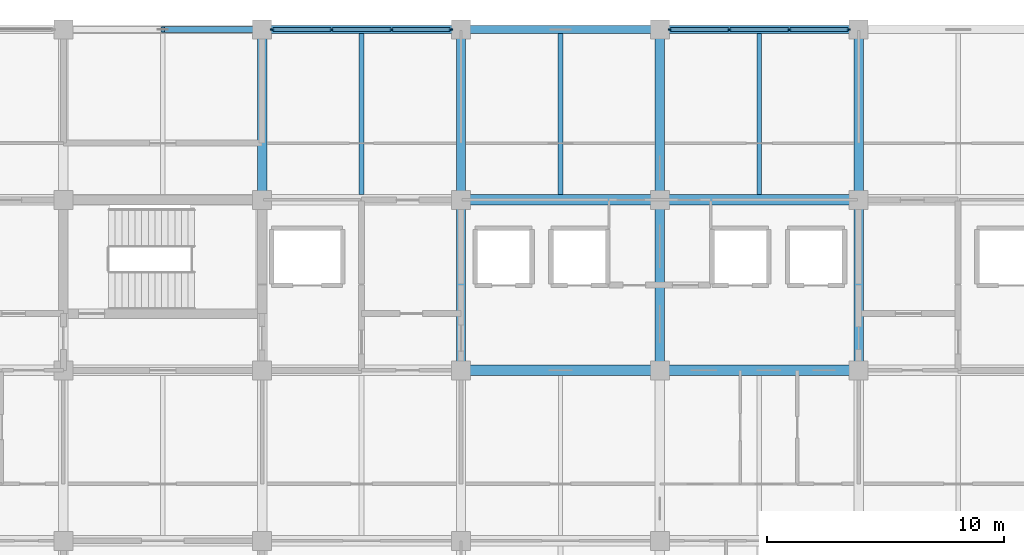
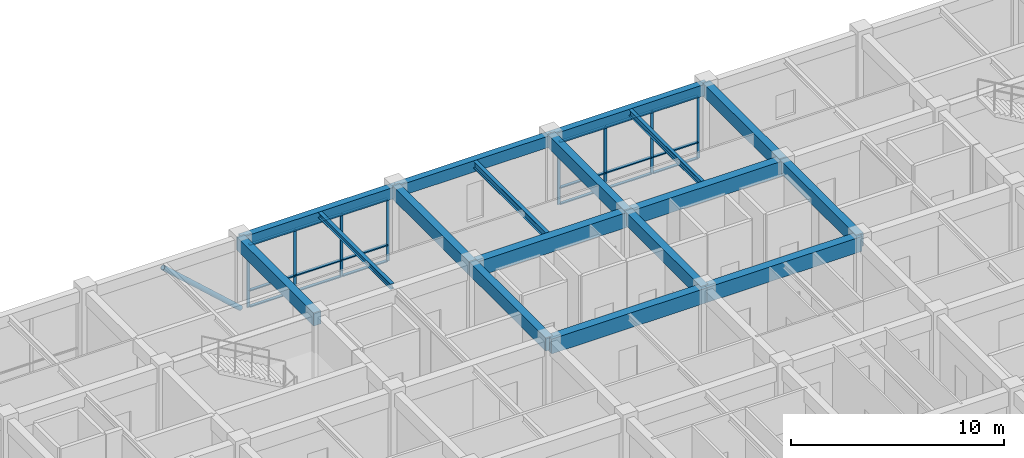
# One storey, part 11 of 40: 27 members, 17 beams, 2 elements without a shape of their own.
"""IFC4 building model written with IfcOpenShell, lengths in metres."""

from ifc_helpers import new_model, si_unit, direction, frame, origin, origin_2d, place, context, subcontext, project, spatial, rectangle, hollow_circle, i_section, extrude, material, layer, layer_set, material_profile, profile_set, type_object, element, aggregate, save


model = new_model("IFC4")

# Units and contexts
model_context = context("Model", 3, precision=1e-05, world=origin(), true_north=direction((0.0, 1.0)))
body_context = subcontext(model_context, "Body", "Model", "MODEL_VIEW")
ifc_project = project(units=[si_unit("LENGTHUNIT", "METRE"), si_unit("AREAUNIT", "SQUARE_METRE"), si_unit("VOLUMEUNIT", "CUBIC_METRE"), si_unit("PLANEANGLEUNIT", "RADIAN"), si_unit("MASSUNIT", "GRAM", prefix="KILO")], contexts=[model_context])

# Site, building, storey
site_placement = place(None, origin())
site = spatial("IfcSite", under=ifc_project, at=site_placement, CompositionType="ELEMENT")
building_placement = place(site_placement, origin())
building = spatial("IfcBuilding", under=site, at=building_placement, Name="Chengyuan Square Courthouse", CompositionType="ELEMENT")
storey_placement = place(building_placement, frame((0.0, 0.0, 21.60009765625)))
storey = spatial("IfcBuildingStorey", under=building, at=storey_placement, Name="L05", CompositionType="ELEMENT", Elevation=21.60009765625)

# Beams
ifc_material_1 = material(Name="Concrete C40", Category="concrete")
ifc_material_profile_1 = material_profile(ifc_material_1, rectangle(XDim=0.449951171875, YDim=0.85009765625, at=origin_2d()), Name="RC-BM-450x850")
ifc_profile_set_1 = profile_set([ifc_material_profile_1], Name="Concrete C40")
beam_type_1 = type_object("IfcBeamType", Name="BM-01", PredefinedType="USERDEFINED", material=ifc_profile_set_1)
for number, where, z_axis, x_axis, name in (
    (1, (75.60009765625, 100.800048828125, 3.81494140625), (1.0, 0.0, 0.0), (0.0, 1.0, 0.0), "Girder BM-L05-3239"),
    (2, (84.0, 100.800048828125, 3.81494140625), (1.0, 0.0, 0.0), (0.0, 1.0, 0.0), "Girder BM-L05-3240"),
    (3, (75.60009765625, 108.0, 3.81494140625), (1.0, 0.0, 0.0), (0.0, 1.0, 0.0), "Girder BM-L05-3253"),
    (4, (84.0, 108.0, 3.81494140625), (1.0, 0.0, 0.0), (0.0, 1.0, 0.0), "Girder BM-L05-3254"),
):
    element("IfcBeam", number, at=place(storey_placement, frame(where, z_axis=z_axis, x_axis=x_axis)), inside=storey, type_object=beam_type_1, Name=name, ObjectType="GIRDER", PredefinedType="USERDEFINED", context=body_context, shape_type="SweptSolid", body=[
        extrude(rectangle(XDim=0.449951171875, YDim=0.85009765625, at=origin_2d()), origin(), (0.0, 0.0, 1.0), 8.39990234375),
    ])
ifc_material_profile_2 = material_profile(ifc_material_1, rectangle(XDim=0.39990234375, YDim=0.75, at=origin_2d()), Name="RC-BM-400x750")
ifc_profile_set_2 = profile_set([ifc_material_profile_2], Name="Concrete C40")
beam_type_2 = type_object("IfcBeamType", Name="BM-02", PredefinedType="USERDEFINED", material=ifc_profile_set_2)
for number, where, z_axis, x_axis, name in (
    (5, (67.199951171875, 108.0, 3.864990234375), (0.0, 1.0, 0.0), (-1.0, 0.0, 0.0), "Girder BM-L05-3292"),
    (6, (75.60009765625, 100.800048828125, 3.864990234375), (0.0, 1.0, 0.0), (-1.0, 0.0, 0.0), "Girder BM-L05-3296"),
    (7, (75.60009765625, 108.0, 3.864990234375), (0.0, 1.0, 0.0), (-1.0, 0.0, 0.0), "Girder BM-L05-3297"),
    (8, (84.0, 100.800048828125, 3.864990234375), (0.0, 1.0, 0.0), (-1.0, 0.0, 0.0), "Girder BM-L05-3301"),
    (9, (84.0, 108.0, 3.864990234375), (0.0, 1.0, 0.0), (-1.0, 0.0, 0.0), "Girder BM-L05-3302"),
    (10, (92.39990234375, 100.800048828125, 3.864990234375), (0.0, 1.0, 0.0), (-1.0, 0.0, 0.0), "Girder BM-L05-3306"),
    (11, (92.39990234375, 108.0, 3.864990234375), (0.0, 1.0, 0.0), (-1.0, 0.0, 0.0), "Girder BM-L05-3307"),
):
    element("IfcBeam", number, at=place(storey_placement, frame(where, z_axis=z_axis, x_axis=x_axis)), inside=storey, type_object=beam_type_2, Name=name, ObjectType="GIRDER", PredefinedType="USERDEFINED", context=body_context, shape_type="SweptSolid", body=[
        extrude(rectangle(XDim=0.39990234375, YDim=0.75, at=origin_2d()), origin(), (0.0, 0.0, 1.0), 7.199951171875),
    ])
ifc_material_profile_3 = material_profile(ifc_material_1, rectangle(XDim=0.35009765625, YDim=0.64990234375, at=origin_2d()), Name="RC-BM-350x650")
ifc_profile_set_3 = profile_set([ifc_material_profile_3], Name="Concrete C40")
beam_type_3 = type_object("IfcBeamType", Name="BM-03", PredefinedType="SPANDREL", material=ifc_profile_set_3)
beam_1_placement = place(storey_placement, frame((67.199951171875, 115.199951171875, 3.914794921875), z_axis=(1.0, 0.0, 0.0), x_axis=(0.0, 1.0, 0.0)))
element("IfcBeam", 12, at=beam_1_placement, inside=storey, type_object=beam_type_3, Name="Girder BM-L05-3263", PredefinedType="SPANDREL", context=body_context, shape_type="SweptSolid", body=[
    extrude(rectangle(XDim=0.35009765625, YDim=0.64990234375, at=origin_2d()), origin(), (0.0, 0.0, 1.0), 8.400146484375),
])
for number, where, z_axis, x_axis, name in (
    (13, (75.60009765625, 115.199951171875, 3.914794921875), (1.0, 0.0, 0.0), (0.0, 1.0, 0.0), "Girder BM-L05-3264"),
    (14, (84.0, 115.199951171875, 3.914794921875), (1.0, 0.0, 0.0), (0.0, 1.0, 0.0), "Girder BM-L05-3265"),
):
    element("IfcBeam", number, at=place(storey_placement, frame(where, z_axis=z_axis, x_axis=x_axis)), inside=storey, type_object=beam_type_3, Name=name, PredefinedType="SPANDREL", context=body_context, shape_type="SweptSolid", body=[
        extrude(rectangle(XDim=0.35009765625, YDim=0.64990234375, at=origin_2d()), origin(), (0.0, 0.0, 1.0), 8.39990234375),
    ])
ifc_material_2 = material(Name="Steel Q355B", Category="steel")
ifc_material_profile_4 = material_profile(ifc_material_2, i_section(OverallWidth=0.199951171875, OverallDepth=0.39990234375, WebThickness=0.008056640625, FlangeThickness=0.012939453125, at=origin_2d()), Name="HN 400x200x8x13")
ifc_profile_set_4 = profile_set([ifc_material_profile_4], Name="Steel Q355B")
beam_type_4 = type_object("IfcBeamType", Name="BM-07", PredefinedType="BEAM", material=ifc_profile_set_4)
beam_2_placement = place(storey_placement, frame((79.800048828125, 108.22509765625, 4.039794921875), z_axis=(0.0, 1.0, 0.0), x_axis=(-1.0, 0.0, 0.0)))
element("IfcBeam", 15, at=beam_2_placement, inside=storey, type_object=beam_type_4, Name="Secondary Floor Beam SBM-L05-3358", PredefinedType="BEAM", context=body_context, shape_type="SweptSolid", body=[
    extrude(i_section(OverallWidth=0.199951171875, OverallDepth=0.39990234375, WebThickness=0.008056640625, FlangeThickness=0.012939453125, at=origin_2d()), origin(), (0.0, 0.0, 1.0), 6.7998046875),
])
ifc_material_profile_5 = material_profile(ifc_material_2, i_section(OverallWidth=0.175048828125, OverallDepth=0.35009765625, WebThickness=0.007080078125, FlangeThickness=0.010986328125, at=origin_2d()), Name="HN 350x175x7x11")
ifc_profile_set_5 = profile_set([ifc_material_profile_5], Name="Steel Q355B")
beam_type_5 = type_object("IfcBeamType", Name="BM-08", PredefinedType="BEAM", material=ifc_profile_set_5)
beam_3_placement = place(storey_placement, frame((88.199951171875, 108.22509765625, 4.06494140625), z_axis=(0.0, 1.0, 0.0), x_axis=(-1.0, 0.0, 0.0)))
element("IfcBeam", 16, at=beam_3_placement, inside=storey, type_object=beam_type_5, Name="Secondary Floor Beam SBM-L05-3362", PredefinedType="BEAM", context=body_context, shape_type="SweptSolid", body=[
    extrude(i_section(OverallWidth=0.175048828125, OverallDepth=0.35009765625, WebThickness=0.007080078125, FlangeThickness=0.010986328125, at=origin_2d()), origin(), (0.0, 0.0, 1.0), 6.7998046875),
])
ifc_material_profile_6 = material_profile(ifc_material_2, i_section(OverallWidth=0.199951171875, OverallDepth=0.300048828125, WebThickness=0.008056640625, FlangeThickness=0.011962890625, at=origin_2d()), Name="HM 300x200x8x12")
ifc_profile_set_6 = profile_set([ifc_material_profile_6], Name="Steel Q355B")
beam_type_6 = type_object("IfcBeamType", Name="BM-09", PredefinedType="BEAM", material=ifc_profile_set_6)
beam_4_placement = place(storey_placement, frame((71.39990234375, 108.22509765625, 4.08984375), z_axis=(0.0, 1.0, 0.0), x_axis=(-1.0, 0.0, 0.0)))
element("IfcBeam", 17, at=beam_4_placement, inside=storey, type_object=beam_type_6, Name="Secondary Floor Beam SBM-L05-3354", PredefinedType="BEAM", context=body_context, shape_type="SweptSolid", body=[
    extrude(i_section(OverallWidth=0.199951171875, OverallDepth=0.300048828125, WebThickness=0.008056640625, FlangeThickness=0.011962890625, at=origin_2d()), origin(), (0.0, 0.0, 1.0), 6.7998046875),
])

# Member
ifc_material_profile_7 = material_profile(ifc_material_2, hollow_circle(Radius=0.136474609375, WallThickness=0.010009765625, at=origin_2d()), Name="CHS 273x10")
ifc_profile_set_7 = profile_set([ifc_material_profile_7], Name="Steel Q355B")
member_type_1 = type_object("IfcMemberType", Name="BR-01", PredefinedType="BRACE", material=ifc_profile_set_7)
member_1_placement = place(storey_placement, frame((67.199951171875, 115.199951171875, 0.099853515625), z_axis=(-0.742407252639, 0.0, 0.669948857174), x_axis=(0.0, -1.0, 0.0)))
element("IfcMember", 18, at=member_1_placement, inside=storey, type_object=member_type_1, Name="Steel Chevron Brace BR-L05-018", PredefinedType="BRACE", context=body_context, shape_type="SweptSolid", body=[
    extrude(hollow_circle(Radius=0.136474609375, WallThickness=0.010009765625, at=origin_2d()), origin(), (0.0, 0.0, 1.0), 5.6572265625),
])

# Curtain wall, members
ifc_material_3 = material(Name="Unitised Aluminium and Triple Low-E Glass", Category="aluminium")
ifc_layer = layer(ifc_material_3, 0.159912109375)
ifc_layer_set = layer_set([ifc_layer], Name="Unitised Aluminium and Triple Low-E Glass")
curtain_wall_type = type_object("IfcCurtainWallType", Name="CW-13", PredefinedType="USERDEFINED", material=ifc_layer_set)
curtain_wall_1_placement = place(storey_placement, origin())
curtain_wall_1 = element("IfcCurtainWall", 19, at=curtain_wall_1_placement, inside=storey, type_object=curtain_wall_type, Name="Unitised Curtain Wall CW-L05-172", ObjectType="UNITISED CURTAIN WALL", PredefinedType="USERDEFINED")
ifc_material_4 = material(Name="Aluminium 6063-T6 Frame", Category="aluminium")
ifc_material_profile_8 = material_profile(ifc_material_4, rectangle(XDim=0.06005859375, YDim=0.159912109375, at=origin_2d()), Name="CW-MUL-60x160")
ifc_profile_set_8 = profile_set([ifc_material_profile_8], Name="Aluminium 6063-T6 Frame")
member_type_2 = type_object("IfcMemberType", Name="CWM-01", PredefinedType="MULLION", material=ifc_profile_set_8)
member_2_placement = place(storey_placement, frame((67.6298828125, 115.199951171875, 0.0), z_axis=(0.0, 0.0, 1.0), x_axis=(0.0, 1.0, 0.0)))
member_2 = element("IfcMember", 20, at=member_2_placement, type_object=member_type_2, Name="CW-13 mullion 1", PredefinedType="MULLION", context=body_context, shape_type="SweptSolid", body=[
    extrude(rectangle(XDim=0.06005859375, YDim=0.159912109375, at=origin_2d()), origin(), (0.0, 0.0, 1.0), 3.58984375),
])
member_3_placement = place(storey_placement, frame((70.13330078125, 115.199951171875, 0.0), z_axis=(0.0, 0.0, 1.0), x_axis=(0.0, 1.0, 0.0)))
member_3 = element("IfcMember", 21, at=member_3_placement, type_object=member_type_2, Name="CW-13 mullion 2", PredefinedType="MULLION", context=body_context, shape_type="SweptSolid", body=[
    extrude(rectangle(XDim=0.06005859375, YDim=0.159912109375, at=origin_2d()), origin(), (0.0, 0.0, 1.0), 3.58984375),
])
member_4_placement = place(storey_placement, frame((72.666748046875, 115.199951171875, 0.0), z_axis=(0.0, 0.0, 1.0), x_axis=(0.0, 1.0, 0.0)))
member_4 = element("IfcMember", 22, at=member_4_placement, type_object=member_type_2, Name="CW-13 mullion 3", PredefinedType="MULLION", context=body_context, shape_type="SweptSolid", body=[
    extrude(rectangle(XDim=0.06005859375, YDim=0.159912109375, at=origin_2d()), origin(), (0.0, 0.0, 1.0), 3.58984375),
])
member_5_placement = place(storey_placement, frame((75.169921875, 115.199951171875, 0.0), z_axis=(0.0, 0.0, 1.0), x_axis=(0.0, 1.0, 0.0)))
member_5 = element("IfcMember", 23, at=member_5_placement, type_object=member_type_2, Name="CW-13 mullion 4", PredefinedType="MULLION", context=body_context, shape_type="SweptSolid", body=[
    extrude(rectangle(XDim=0.06005859375, YDim=0.159912109375, at=origin_2d()), origin(), (0.0, 0.0, 1.0), 3.58984375),
])

curtain_wall_2_placement = place(storey_placement, origin())
curtain_wall_2 = element("IfcCurtainWall", 24, at=curtain_wall_2_placement, inside=storey, type_object=curtain_wall_type, Name="Unitised Curtain Wall CW-L05-175", ObjectType="UNITISED CURTAIN WALL", PredefinedType="USERDEFINED")
member_6_placement = place(storey_placement, frame((84.429931640625, 115.199951171875, 0.0), z_axis=(0.0, 0.0, 1.0), x_axis=(0.0, 1.0, 0.0)))
member_6 = element("IfcMember", 25, at=member_6_placement, type_object=member_type_2, Name="CW-13 mullion 1", PredefinedType="MULLION", context=body_context, shape_type="SweptSolid", body=[
    extrude(rectangle(XDim=0.06005859375, YDim=0.159912109375, at=origin_2d()), origin(), (0.0, 0.0, 1.0), 3.58984375),
])
member_7_placement = place(storey_placement, frame((86.933349609375, 115.199951171875, 0.0), z_axis=(0.0, 0.0, 1.0), x_axis=(0.0, 1.0, 0.0)))
member_7 = element("IfcMember", 26, at=member_7_placement, type_object=member_type_2, Name="CW-13 mullion 2", PredefinedType="MULLION", context=body_context, shape_type="SweptSolid", body=[
    extrude(rectangle(XDim=0.06005859375, YDim=0.159912109375, at=origin_2d()), origin(), (0.0, 0.0, 1.0), 3.58984375),
])
member_8_placement = place(storey_placement, frame((89.466552734375, 115.199951171875, 0.0), z_axis=(0.0, 0.0, 1.0), x_axis=(0.0, 1.0, 0.0)))
member_8 = element("IfcMember", 27, at=member_8_placement, type_object=member_type_2, Name="CW-13 mullion 3", PredefinedType="MULLION", context=body_context, shape_type="SweptSolid", body=[
    extrude(rectangle(XDim=0.06005859375, YDim=0.159912109375, at=origin_2d()), origin(), (0.0, 0.0, 1.0), 3.58984375),
])
member_9_placement = place(storey_placement, frame((91.969970703125, 115.199951171875, 0.0), z_axis=(0.0, 0.0, 1.0), x_axis=(0.0, 1.0, 0.0)))
member_9 = element("IfcMember", 28, at=member_9_placement, type_object=member_type_2, Name="CW-13 mullion 4", PredefinedType="MULLION", context=body_context, shape_type="SweptSolid", body=[
    extrude(rectangle(XDim=0.06005859375, YDim=0.159912109375, at=origin_2d()), origin(), (0.0, 0.0, 1.0), 3.58984375),
])

# Member
ifc_material_profile_9 = material_profile(ifc_material_4, rectangle(XDim=0.159912109375, YDim=0.06005859375, at=origin_2d()), Name="CW-TRN-60x120")
ifc_profile_set_9 = profile_set([ifc_material_profile_9], Name="Aluminium 6063-T6 Frame")
member_type_3 = type_object("IfcMemberType", Name="CWT-01", PredefinedType="USERDEFINED", material=ifc_profile_set_9)
member_10_placement = place(storey_placement, frame((67.659912109375, 115.199951171875, 0.02978515625), z_axis=(1.0, 0.0, 0.0), x_axis=(0.0, 1.0, 0.0)))
member_10 = element("IfcMember", 29, at=member_10_placement, type_object=member_type_3, Name="CW-13 transom 1.1", ObjectType="TRANSOM", PredefinedType="USERDEFINED", context=body_context, shape_type="SweptSolid", body=[
    extrude(rectangle(XDim=0.159912109375, YDim=0.06005859375, at=origin_2d()), origin(), (0.0, 0.0, 1.0), 2.443359375),
])

member_11_placement = place(storey_placement, frame((67.659912109375, 115.199951171875, 0.949951171875), z_axis=(1.0, 0.0, 0.0), x_axis=(0.0, 1.0, 0.0)))
member_11 = element("IfcMember", 30, at=member_11_placement, type_object=member_type_3, Name="CW-13 transom 1.2", ObjectType="TRANSOM", PredefinedType="USERDEFINED", context=body_context, shape_type="SweptSolid", body=[
    extrude(rectangle(XDim=0.159912109375, YDim=0.06005859375, at=origin_2d()), origin(), (0.0, 0.0, 1.0), 2.443359375),
])

member_12_placement = place(storey_placement, frame((67.659912109375, 115.199951171875, 3.559814453125), z_axis=(1.0, 0.0, 0.0), x_axis=(0.0, 1.0, 0.0)))
member_12 = element("IfcMember", 31, at=member_12_placement, type_object=member_type_3, Name="CW-13 transom 1.3", ObjectType="TRANSOM", PredefinedType="USERDEFINED", context=body_context, shape_type="SweptSolid", body=[
    extrude(rectangle(XDim=0.159912109375, YDim=0.06005859375, at=origin_2d()), origin(), (0.0, 0.0, 1.0), 2.443359375),
])

member_13_placement = place(storey_placement, frame((70.163330078125, 115.199951171875, 0.02978515625), z_axis=(1.0, 0.0, 0.0), x_axis=(0.0, 1.0, 0.0)))
member_13 = element("IfcMember", 32, at=member_13_placement, type_object=member_type_3, Name="CW-13 transom 2.1", ObjectType="TRANSOM", PredefinedType="USERDEFINED", context=body_context, shape_type="SweptSolid", body=[
    extrude(rectangle(XDim=0.159912109375, YDim=0.06005859375, at=origin_2d()), origin(), (0.0, 0.0, 1.0), 2.473388671875),
])

member_14_placement = place(storey_placement, frame((70.163330078125, 115.199951171875, 0.949951171875), z_axis=(1.0, 0.0, 0.0), x_axis=(0.0, 1.0, 0.0)))
member_14 = element("IfcMember", 33, at=member_14_placement, type_object=member_type_3, Name="CW-13 transom 2.2", ObjectType="TRANSOM", PredefinedType="USERDEFINED", context=body_context, shape_type="SweptSolid", body=[
    extrude(rectangle(XDim=0.159912109375, YDim=0.06005859375, at=origin_2d()), origin(), (0.0, 0.0, 1.0), 2.473388671875),
])

member_15_placement = place(storey_placement, frame((70.163330078125, 115.199951171875, 3.559814453125), z_axis=(1.0, 0.0, 0.0), x_axis=(0.0, 1.0, 0.0)))
member_15 = element("IfcMember", 34, at=member_15_placement, type_object=member_type_3, Name="CW-13 transom 2.3", ObjectType="TRANSOM", PredefinedType="USERDEFINED", context=body_context, shape_type="SweptSolid", body=[
    extrude(rectangle(XDim=0.159912109375, YDim=0.06005859375, at=origin_2d()), origin(), (0.0, 0.0, 1.0), 2.473388671875),
])

member_16_placement = place(storey_placement, frame((72.69677734375, 115.199951171875, 0.02978515625), z_axis=(1.0, 0.0, 0.0), x_axis=(0.0, 1.0, 0.0)))
member_16 = element("IfcMember", 35, at=member_16_placement, type_object=member_type_3, Name="CW-13 transom 3.1", ObjectType="TRANSOM", PredefinedType="USERDEFINED", context=body_context, shape_type="SweptSolid", body=[
    extrude(rectangle(XDim=0.159912109375, YDim=0.06005859375, at=origin_2d()), origin(), (0.0, 0.0, 1.0), 2.443115234375),
])

member_17_placement = place(storey_placement, frame((72.69677734375, 115.199951171875, 0.949951171875), z_axis=(1.0, 0.0, 0.0), x_axis=(0.0, 1.0, 0.0)))
member_17 = element("IfcMember", 36, at=member_17_placement, type_object=member_type_3, Name="CW-13 transom 3.2", ObjectType="TRANSOM", PredefinedType="USERDEFINED", context=body_context, shape_type="SweptSolid", body=[
    extrude(rectangle(XDim=0.159912109375, YDim=0.06005859375, at=origin_2d()), origin(), (0.0, 0.0, 1.0), 2.443115234375),
])

member_18_placement = place(storey_placement, frame((72.69677734375, 115.199951171875, 3.559814453125), z_axis=(1.0, 0.0, 0.0), x_axis=(0.0, 1.0, 0.0)))
member_18 = element("IfcMember", 37, at=member_18_placement, type_object=member_type_3, Name="CW-13 transom 3.3", ObjectType="TRANSOM", PredefinedType="USERDEFINED", context=body_context, shape_type="SweptSolid", body=[
    extrude(rectangle(XDim=0.159912109375, YDim=0.06005859375, at=origin_2d()), origin(), (0.0, 0.0, 1.0), 2.443115234375),
])

aggregate(curtain_wall_1, [member_2, member_3, member_4, member_5, member_10, member_11, member_12, member_13, member_14, member_15, member_16, member_17, member_18])

member_19_placement = place(storey_placement, frame((84.4599609375, 115.199951171875, 0.02978515625), z_axis=(1.0, 0.0, 0.0), x_axis=(0.0, 1.0, 0.0)))
member_19 = element("IfcMember", 38, at=member_19_placement, type_object=member_type_3, Name="CW-13 transom 1.1", ObjectType="TRANSOM", PredefinedType="USERDEFINED", context=body_context, shape_type="SweptSolid", body=[
    extrude(rectangle(XDim=0.159912109375, YDim=0.06005859375, at=origin_2d()), origin(), (0.0, 0.0, 1.0), 2.443359375),
])

member_20_placement = place(storey_placement, frame((84.4599609375, 115.199951171875, 0.949951171875), z_axis=(1.0, 0.0, 0.0), x_axis=(0.0, 1.0, 0.0)))
member_20 = element("IfcMember", 39, at=member_20_placement, type_object=member_type_3, Name="CW-13 transom 1.2", ObjectType="TRANSOM", PredefinedType="USERDEFINED", context=body_context, shape_type="SweptSolid", body=[
    extrude(rectangle(XDim=0.159912109375, YDim=0.06005859375, at=origin_2d()), origin(), (0.0, 0.0, 1.0), 2.443359375),
])

member_21_placement = place(storey_placement, frame((84.4599609375, 115.199951171875, 3.559814453125), z_axis=(1.0, 0.0, 0.0), x_axis=(0.0, 1.0, 0.0)))
member_21 = element("IfcMember", 40, at=member_21_placement, type_object=member_type_3, Name="CW-13 transom 1.3", ObjectType="TRANSOM", PredefinedType="USERDEFINED", context=body_context, shape_type="SweptSolid", body=[
    extrude(rectangle(XDim=0.159912109375, YDim=0.06005859375, at=origin_2d()), origin(), (0.0, 0.0, 1.0), 2.443359375),
])

member_22_placement = place(storey_placement, frame((86.96337890625, 115.199951171875, 0.02978515625), z_axis=(1.0, 0.0, 0.0), x_axis=(0.0, 1.0, 0.0)))
member_22 = element("IfcMember", 41, at=member_22_placement, type_object=member_type_3, Name="CW-13 transom 2.1", ObjectType="TRANSOM", PredefinedType="USERDEFINED", context=body_context, shape_type="SweptSolid", body=[
    extrude(rectangle(XDim=0.159912109375, YDim=0.06005859375, at=origin_2d()), origin(), (0.0, 0.0, 1.0), 2.473388671875),
])

member_23_placement = place(storey_placement, frame((86.96337890625, 115.199951171875, 0.949951171875), z_axis=(1.0, 0.0, 0.0), x_axis=(0.0, 1.0, 0.0)))
member_23 = element("IfcMember", 42, at=member_23_placement, type_object=member_type_3, Name="CW-13 transom 2.2", ObjectType="TRANSOM", PredefinedType="USERDEFINED", context=body_context, shape_type="SweptSolid", body=[
    extrude(rectangle(XDim=0.159912109375, YDim=0.06005859375, at=origin_2d()), origin(), (0.0, 0.0, 1.0), 2.473388671875),
])

member_24_placement = place(storey_placement, frame((86.96337890625, 115.199951171875, 3.559814453125), z_axis=(1.0, 0.0, 0.0), x_axis=(0.0, 1.0, 0.0)))
member_24 = element("IfcMember", 43, at=member_24_placement, type_object=member_type_3, Name="CW-13 transom 2.3", ObjectType="TRANSOM", PredefinedType="USERDEFINED", context=body_context, shape_type="SweptSolid", body=[
    extrude(rectangle(XDim=0.159912109375, YDim=0.06005859375, at=origin_2d()), origin(), (0.0, 0.0, 1.0), 2.473388671875),
])

member_25_placement = place(storey_placement, frame((89.49658203125, 115.199951171875, 0.02978515625), z_axis=(1.0, 0.0, 0.0), x_axis=(0.0, 1.0, 0.0)))
member_25 = element("IfcMember", 44, at=member_25_placement, type_object=member_type_3, Name="CW-13 transom 3.1", ObjectType="TRANSOM", PredefinedType="USERDEFINED", context=body_context, shape_type="SweptSolid", body=[
    extrude(rectangle(XDim=0.159912109375, YDim=0.06005859375, at=origin_2d()), origin(), (0.0, 0.0, 1.0), 2.443359375),
])

member_26_placement = place(storey_placement, frame((89.49658203125, 115.199951171875, 0.949951171875), z_axis=(1.0, 0.0, 0.0), x_axis=(0.0, 1.0, 0.0)))
member_26 = element("IfcMember", 45, at=member_26_placement, type_object=member_type_3, Name="CW-13 transom 3.2", ObjectType="TRANSOM", PredefinedType="USERDEFINED", context=body_context, shape_type="SweptSolid", body=[
    extrude(rectangle(XDim=0.159912109375, YDim=0.06005859375, at=origin_2d()), origin(), (0.0, 0.0, 1.0), 2.443359375),
])

member_27_placement = place(storey_placement, frame((89.49658203125, 115.199951171875, 3.559814453125), z_axis=(1.0, 0.0, 0.0), x_axis=(0.0, 1.0, 0.0)))
member_27 = element("IfcMember", 46, at=member_27_placement, type_object=member_type_3, Name="CW-13 transom 3.3", ObjectType="TRANSOM", PredefinedType="USERDEFINED", context=body_context, shape_type="SweptSolid", body=[
    extrude(rectangle(XDim=0.159912109375, YDim=0.06005859375, at=origin_2d()), origin(), (0.0, 0.0, 1.0), 2.443359375),
])

aggregate(curtain_wall_2, [member_6, member_7, member_8, member_9, member_19, member_20, member_21, member_22, member_23, member_24, member_25, member_26, member_27])

save(model, "model.ifc")
